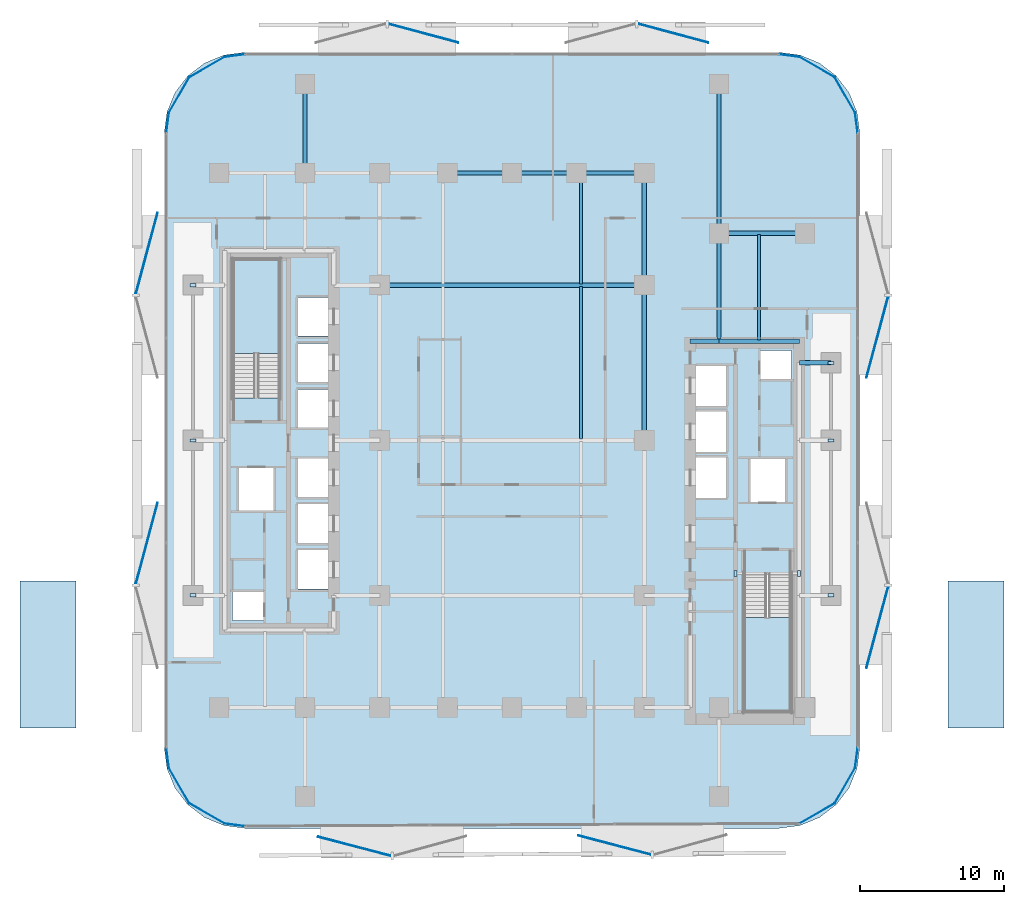
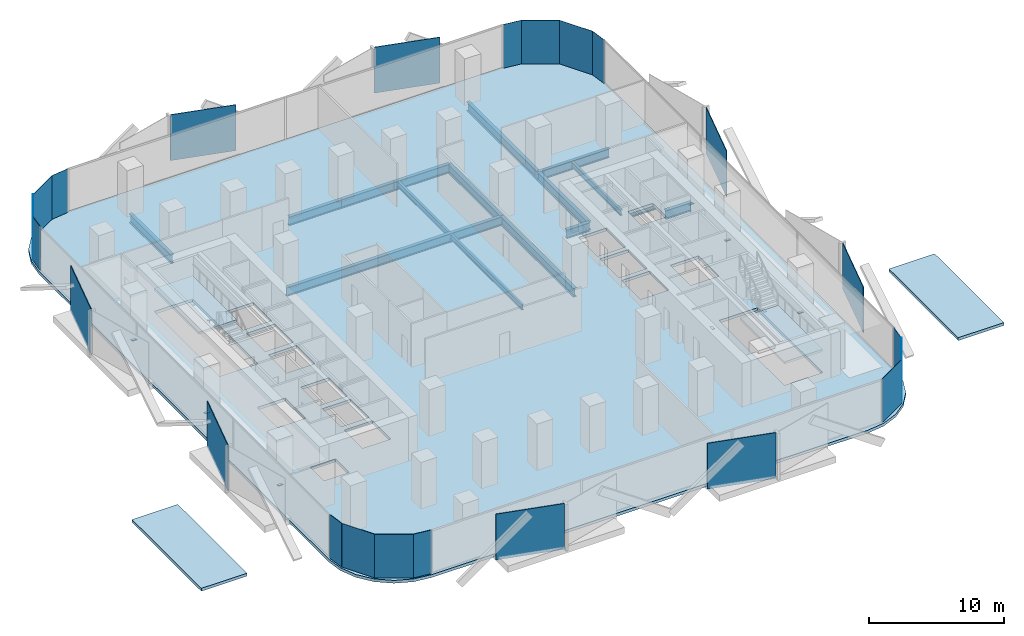
# One storey, part 2 of 16: 31 plates, 16 beams, 5 slabs, 2 elements without a shape of their own.
"""IFC4 building model written with IfcOpenShell, lengths in metres."""

from ifc_helpers import new_model, si_unit, direction, frame, origin, origin_2d, place, context, subcontext, project, spatial, polyline, rectangle, i_section, outline, extrude, material, layer, layer_set, material_profile, profile_set, type_object, element, aggregate, save


model = new_model("IFC4")

# Units and contexts
model_context = context("Model", 3, precision=1e-05, world=origin(), true_north=direction((0.0, 1.0)))
body_context = subcontext(model_context, "Body", "Model", "MODEL_VIEW")
ifc_project = project(units=[si_unit("LENGTHUNIT", "METRE"), si_unit("AREAUNIT", "SQUARE_METRE"), si_unit("VOLUMEUNIT", "CUBIC_METRE"), si_unit("PLANEANGLEUNIT", "RADIAN"), si_unit("MASSUNIT", "GRAM", prefix="KILO")], contexts=[model_context])

# Site, building, storey
site_placement = place(None, origin())
site = spatial("IfcSite", under=ifc_project, at=site_placement, CompositionType="ELEMENT")
building_placement = place(site_placement, origin())
building = spatial("IfcBuilding", under=site, at=building_placement, Name="Khairoan Windgate Tower", CompositionType="ELEMENT")
storey_placement = place(building_placement, frame((0.0, 0.0, 26.0)))
storey = spatial("IfcBuildingStorey", under=building, at=storey_placement, Name="L06", CompositionType="ELEMENT", Elevation=26.0)

# Beams
ifc_material_1 = material(Name="Steel S355", Category="steel")
ifc_material_profile_1 = material_profile(ifc_material_1, i_section(OverallWidth=0.300048828125, OverallDepth=0.800048828125, WebThickness=0.013916015625, FlangeThickness=0.02587890625, FilletRadius=0.028076171875, at=origin_2d()))
ifc_profile_set_1 = profile_set([ifc_material_profile_1], Name="Steel S355")
beam_type_1 = type_object("IfcBeamType", Name="Beam B-G2 H800x300x14x26", PredefinedType="BEAM", material=ifc_profile_set_1)
beam_1_placement = place(storey_placement, frame((20.0, 5.39990234375, -0.659912109375), z_axis=(1.0, 0.0, 0.0), x_axis=(0.0, 1.0, 0.0)))
element("IfcBeam", 1, at=beam_1_placement, inside=storey, type_object=beam_type_1, Name="L06 E-W Primary Girder 19", PredefinedType="BEAM", context=body_context, shape_type="SweptSolid", body=[
    extrude(i_section(OverallWidth=0.300048828125, OverallDepth=0.800048828125, WebThickness=0.013916015625, FlangeThickness=0.02587890625, FilletRadius=0.028076171875, at=origin_2d()), origin(), (0.0, 0.0, 1.0), 2.199951171875),
])
beam_2_placement = place(storey_placement, frame((12.39990234375, 6.89990234375, -0.659912109375), z_axis=(1.0, 0.0, 0.0), x_axis=(0.0, 1.0, 0.0)))
element("IfcBeam", 2, at=beam_2_placement, inside=storey, type_object=beam_type_1, Name="L06 E-W Primary Girder 20", PredefinedType="BEAM", context=body_context, shape_type="SweptSolid", body=[
    extrude(i_section(OverallWidth=0.300048828125, OverallDepth=0.800048828125, WebThickness=0.013916015625, FlangeThickness=0.02587890625, FilletRadius=0.028076171875, at=origin_2d()), origin(), (0.0, 0.0, 1.0), 2.0),
])
beam_3_placement = place(storey_placement, frame((14.39990234375, 6.89990234375, -0.659912109375), z_axis=(1.0, 0.0, 0.0), x_axis=(0.0, 1.0, 0.0)))
element("IfcBeam", 3, at=beam_3_placement, inside=storey, type_object=beam_type_1, Name="L06 E-W Primary Girder 21", PredefinedType="BEAM", context=body_context, shape_type="SweptSolid", body=[
    extrude(i_section(OverallWidth=0.300048828125, OverallDepth=0.800048828125, WebThickness=0.013916015625, FlangeThickness=0.02587890625, FilletRadius=0.028076171875, at=origin_2d()), origin(), (0.0, 0.0, 1.0), 5.60009765625),
])
beam_4_placement = place(storey_placement, frame((-9.199951171875, 10.800048828125, -0.659912109375), z_axis=(1.0, 0.0, 0.0), x_axis=(0.0, 1.0, 0.0)))
element("IfcBeam", 4, at=beam_4_placement, inside=storey, type_object=beam_type_1, Name="L06 E-W Primary Girder 24", PredefinedType="BEAM", context=body_context, shape_type="SweptSolid", body=[
    extrude(i_section(OverallWidth=0.300048828125, OverallDepth=0.800048828125, WebThickness=0.013916015625, FlangeThickness=0.02587890625, FilletRadius=0.028076171875, at=origin_2d()), origin(), (0.0, 0.0, 1.0), 18.39990234375),
])
beam_5_placement = place(storey_placement, frame((14.39990234375, 14.39990234375, -0.659912109375), z_axis=(1.0, 0.0, 0.0), x_axis=(0.0, 1.0, 0.0)))
element("IfcBeam", 5, at=beam_5_placement, inside=storey, type_object=beam_type_1, Name="L06 E-W Primary Girder 27", PredefinedType="BEAM", context=body_context, shape_type="SweptSolid", body=[
    extrude(i_section(OverallWidth=0.300048828125, OverallDepth=0.800048828125, WebThickness=0.013916015625, FlangeThickness=0.02587890625, FilletRadius=0.028076171875, at=origin_2d()), origin(), (0.0, 0.0, 1.0), 6.0),
])
for number, where, z_axis, x_axis, name in (
    (6, (-4.5, 18.60009765625, -0.659912109375), (1.0, 0.0, 0.0), (0.0, 1.0, 0.0), "L06 E-W Primary Girder 31"),
    (7, (0.0, 18.60009765625, -0.659912109375), (1.0, 0.0, 0.0), (0.0, 1.0, 0.0), "L06 E-W Primary Girder 32"),
):
    element("IfcBeam", number, at=place(storey_placement, frame(where, z_axis=z_axis, x_axis=x_axis)), inside=storey, type_object=beam_type_1, Name=name, PredefinedType="BEAM", context=body_context, shape_type="SweptSolid", body=[
        extrude(i_section(OverallWidth=0.300048828125, OverallDepth=0.800048828125, WebThickness=0.013916015625, FlangeThickness=0.02587890625, FilletRadius=0.028076171875, at=origin_2d()), origin(), (0.0, 0.0, 1.0), 4.5),
    ])
beam_6_placement = place(storey_placement, frame((4.5, 18.60009765625, -0.659912109375), z_axis=(1.0, 0.0, 0.0), x_axis=(0.0, 1.0, 0.0)))
element("IfcBeam", 8, at=beam_6_placement, inside=storey, type_object=beam_type_1, Name="L06 E-W Primary Girder 33", PredefinedType="BEAM", context=body_context, shape_type="SweptSolid", body=[
    extrude(i_section(OverallWidth=0.300048828125, OverallDepth=0.800048828125, WebThickness=0.013916015625, FlangeThickness=0.02587890625, FilletRadius=0.028076171875, at=origin_2d()), origin(), (0.0, 0.0, 1.0), 4.699951171875),
])
beam_7_placement = place(storey_placement, frame((-14.39990234375, 18.60009765625, -0.659912109375), z_axis=(0.0, 1.0, 0.0), x_axis=(-1.0, 0.0, 0.0)))
element("IfcBeam", 9, at=beam_7_placement, inside=storey, type_object=beam_type_1, Name="L06 N-S Primary Beam 43", PredefinedType="BEAM", context=body_context, shape_type="SweptSolid", body=[
    extrude(i_section(OverallWidth=0.300048828125, OverallDepth=0.800048828125, WebThickness=0.013916015625, FlangeThickness=0.02587890625, FilletRadius=0.028076171875, at=origin_2d()), origin(), (0.0, 0.0, 1.0), 6.199951171875),
])
beam_8_placement = place(storey_placement, frame((9.199951171875, 0.0, -0.659912109375), z_axis=(0.0, 1.0, 0.0), x_axis=(-1.0, 0.0, 0.0)))
element("IfcBeam", 10, at=beam_8_placement, inside=storey, type_object=beam_type_1, Name="L06 N-S Primary Beam 52", PredefinedType="BEAM", context=body_context, shape_type="SweptSolid", body=[
    extrude(i_section(OverallWidth=0.300048828125, OverallDepth=0.800048828125, WebThickness=0.013916015625, FlangeThickness=0.02587890625, FilletRadius=0.028076171875, at=origin_2d()), origin(), (0.0, 0.0, 1.0), 10.800048828125),
])
beam_9_placement = place(storey_placement, frame((9.199951171875, 10.800048828125, -0.659912109375), z_axis=(0.0, 1.0, 0.0), x_axis=(-1.0, 0.0, 0.0)))
element("IfcBeam", 11, at=beam_9_placement, inside=storey, type_object=beam_type_1, Name="L06 N-S Primary Beam 53", PredefinedType="BEAM", context=body_context, shape_type="SweptSolid", body=[
    extrude(i_section(OverallWidth=0.300048828125, OverallDepth=0.800048828125, WebThickness=0.013916015625, FlangeThickness=0.02587890625, FilletRadius=0.028076171875, at=origin_2d()), origin(), (0.0, 0.0, 1.0), 7.800048828125),
])
beam_10_placement = place(storey_placement, frame((14.39990234375, 6.89990234375, -0.659912109375), z_axis=(0.0, 1.0, 0.0), x_axis=(-1.0, 0.0, 0.0)))
element("IfcBeam", 12, at=beam_10_placement, inside=storey, type_object=beam_type_1, Name="L06 N-S Primary Beam 56", PredefinedType="BEAM", context=body_context, shape_type="SweptSolid", body=[
    extrude(i_section(OverallWidth=0.300048828125, OverallDepth=0.800048828125, WebThickness=0.013916015625, FlangeThickness=0.02587890625, FilletRadius=0.028076171875, at=origin_2d()), origin(), (0.0, 0.0, 1.0), 7.5),
])
beam_11_placement = place(storey_placement, frame((14.39990234375, 14.39990234375, -0.659912109375), z_axis=(0.0, 1.0, 0.0), x_axis=(-1.0, 0.0, 0.0)))
element("IfcBeam", 13, at=beam_11_placement, inside=storey, type_object=beam_type_1, Name="L06 N-S Primary Beam 57", PredefinedType="BEAM", context=body_context, shape_type="SweptSolid", body=[
    extrude(i_section(OverallWidth=0.300048828125, OverallDepth=0.800048828125, WebThickness=0.013916015625, FlangeThickness=0.02587890625, FilletRadius=0.028076171875, at=origin_2d()), origin(), (0.0, 0.0, 1.0), 10.400146484375),
])
ifc_material_2 = material(Name="Steel S355", Category="steel")
ifc_material_profile_2 = material_profile(ifc_material_2, i_section(OverallWidth=0.199951171875, OverallDepth=0.5, WebThickness=0.010009765625, FlangeThickness=0.01611328125, FilletRadius=0.02001953125, at=origin_2d()))
ifc_profile_set_2 = profile_set([ifc_material_profile_2], Name="Steel S355")
beam_type_2 = type_object("IfcBeamType", Name="Beam J-S2 H500x200x10x16", PredefinedType="JOIST", material=ifc_profile_set_2)
beam_12_placement = place(storey_placement, frame((4.800048828125, 0.090087890625, -0.510009765625), z_axis=(0.0, 1.0, 0.0), x_axis=(-1.0, 0.0, 0.0)))
element("IfcBeam", 14, at=beam_12_placement, inside=storey, type_object=beam_type_2, Name="L06 Secondary Floor Joist 09", PredefinedType="JOIST", context=body_context, shape_type="SweptSolid", body=[
    extrude(i_section(OverallWidth=0.199951171875, OverallDepth=0.5, WebThickness=0.010009765625, FlangeThickness=0.01611328125, FilletRadius=0.02001953125, at=origin_2d()), origin(), (0.0, 0.0, 1.0), 10.619873046875),
])
beam_13_placement = place(storey_placement, frame((4.800048828125, 10.889892578125, -0.510009765625), z_axis=(0.0, 1.0, 0.0), x_axis=(-1.0, 0.0, 0.0)))
element("IfcBeam", 15, at=beam_13_placement, inside=storey, type_object=beam_type_2, Name="L06 Secondary Floor Joist 10", PredefinedType="JOIST", context=body_context, shape_type="SweptSolid", body=[
    extrude(i_section(OverallWidth=0.199951171875, OverallDepth=0.5, WebThickness=0.010009765625, FlangeThickness=0.01611328125, FilletRadius=0.02001953125, at=origin_2d()), origin(), (0.0, 0.0, 1.0), 7.6201171875),
])
beam_14_placement = place(storey_placement, frame((17.199951171875, 6.989990234375, -0.510009765625), z_axis=(0.0, 1.0, 0.0), x_axis=(-1.0, 0.0, 0.0)))
element("IfcBeam", 16, at=beam_14_placement, inside=storey, type_object=beam_type_2, Name="L06 Secondary Floor Joist 11", PredefinedType="JOIST", context=body_context, shape_type="SweptSolid", body=[
    extrude(i_section(OverallWidth=0.199951171875, OverallDepth=0.5, WebThickness=0.010009765625, FlangeThickness=0.01611328125, FilletRadius=0.02001953125, at=origin_2d()), origin(), (0.0, 0.0, 1.0), 7.320068359375),
])

# Plates
ifc_material_3 = material(Name="Low-E Solar Control Laminated Glass", Category="glass")
ifc_layer_1 = layer(ifc_material_3, 0.030029296875, Name="Low-E Solar Control Laminated Glass")
ifc_layer_set_1 = layer_set([ifc_layer_1], Name="Low-E Solar Control Laminated Glass")
plate_type_1 = type_object("IfcPlateType", Name="Aerodynamic Wind-Corner Curved Glazing Plate", PredefinedType="USERDEFINED", material=ifc_layer_set_1)
plate_placement = place(storey_placement, frame((-19.302001953125, -26.766357421875, 0.0), z_axis=(0.0, 0.0, 1.0), x_axis=(-0.991444861374, 0.13052619222, 0.0)))
element("IfcPlate", 17, at=plate_placement, inside=storey, type_object=plate_type_1, Name="L06 Aerodynamic Wind-Corner Curved Glazing Panel 2", ObjectType="GLAZING PANEL", PredefinedType="USERDEFINED", context=body_context, shape_type="SweptSolid", body=[
    extrude(rectangle(XDim=1.474365234375, YDim=0.028076171875, at=origin_2d()), origin(), (0.0, 0.0, 1.0), 3.93994140625),
])
for number, where, z_axis, x_axis, name in (
    (18, (-21.236328125, -25.96630859375, 0.0), (0.0, 0.0, 1.0), (-0.866025403784, 0.5, 0.0), "L06 Aerodynamic Wind-Corner Curved Glazing Panel 3"),
    (19, (-23.16650390625, -24.03662109375, 0.0), (0.0, 0.0, 1.0), (-0.5, 0.866025403784, 0.0), "L06 Aerodynamic Wind-Corner Curved Glazing Panel 4"),
):
    element("IfcPlate", number, at=place(storey_placement, frame(where, z_axis=z_axis, x_axis=x_axis)), inside=storey, type_object=plate_type_1, Name=name, ObjectType="GLAZING PANEL", PredefinedType="USERDEFINED", context=body_context, shape_type="SweptSolid", body=[
        extrude(rectangle(XDim=2.86572265625, YDim=0.028076171875, at=origin_2d()), origin(), (0.0, 0.0, 1.0), 3.93994140625),
    ])
for number, where, z_axis, x_axis, name in (
    (20, (-23.96630859375, -22.101806640625, 0.0), (0.0, 0.0, 1.0), (-0.13052619222, 0.991444861374, 0.0), "L06 Aerodynamic Wind-Corner Curved Glazing Panel 5"),
    (21, (-23.96630859375, 22.101806640625, 0.0), (0.0, 0.0, 1.0), (0.13052619222, 0.991444861374, 0.0), "L06 Aerodynamic Wind-Corner Curved Glazing Panel 7"),
):
    element("IfcPlate", number, at=place(storey_placement, frame(where, z_axis=z_axis, x_axis=x_axis)), inside=storey, type_object=plate_type_1, Name=name, ObjectType="GLAZING PANEL", PredefinedType="USERDEFINED", context=body_context, shape_type="SweptSolid", body=[
        extrude(rectangle(XDim=1.474365234375, YDim=0.028076171875, at=origin_2d()), origin(), (0.0, 0.0, 1.0), 3.93994140625),
    ])
for number, where, z_axis, x_axis, name in (
    (22, (-23.16650390625, 24.03662109375, 0.0), (0.0, 0.0, 1.0), (0.5, 0.866025403784, 0.0), "L06 Aerodynamic Wind-Corner Curved Glazing Panel 8"),
    (23, (-21.236328125, 25.96630859375, 0.0), (0.0, 0.0, 1.0), (0.866025403784, 0.5, 0.0), "L06 Aerodynamic Wind-Corner Curved Glazing Panel 9"),
):
    element("IfcPlate", number, at=place(storey_placement, frame(where, z_axis=z_axis, x_axis=x_axis)), inside=storey, type_object=plate_type_1, Name=name, ObjectType="GLAZING PANEL", PredefinedType="USERDEFINED", context=body_context, shape_type="SweptSolid", body=[
        extrude(rectangle(XDim=2.86572265625, YDim=0.028076171875, at=origin_2d()), origin(), (0.0, 0.0, 1.0), 3.93994140625),
    ])
for number, where, z_axis, x_axis, name in (
    (24, (-19.302001953125, 26.766357421875, 0.0), (0.0, 0.0, 1.0), (0.991444861374, 0.13052619222, 0.0), "L06 Aerodynamic Wind-Corner Curved Glazing Panel 10"),
    (25, (19.302001953125, 26.766357421875, 0.0), (0.0, 0.0, 1.0), (0.991444861374, -0.13052619222, 0.0), "L06 Aerodynamic Wind-Corner Curved Glazing Panel 12"),
):
    element("IfcPlate", number, at=place(storey_placement, frame(where, z_axis=z_axis, x_axis=x_axis)), inside=storey, type_object=plate_type_1, Name=name, ObjectType="GLAZING PANEL", PredefinedType="USERDEFINED", context=body_context, shape_type="SweptSolid", body=[
        extrude(rectangle(XDim=1.474365234375, YDim=0.028076171875, at=origin_2d()), origin(), (0.0, 0.0, 1.0), 3.93994140625),
    ])
for number, where, z_axis, x_axis, name in (
    (26, (21.236328125, 25.96630859375, 0.0), (0.0, 0.0, 1.0), (0.866025403784, -0.5, 0.0), "L06 Aerodynamic Wind-Corner Curved Glazing Panel 13"),
    (27, (23.16650390625, 24.03662109375, 0.0), (0.0, 0.0, 1.0), (0.5, -0.866025403784, 0.0), "L06 Aerodynamic Wind-Corner Curved Glazing Panel 14"),
):
    element("IfcPlate", number, at=place(storey_placement, frame(where, z_axis=z_axis, x_axis=x_axis)), inside=storey, type_object=plate_type_1, Name=name, ObjectType="GLAZING PANEL", PredefinedType="USERDEFINED", context=body_context, shape_type="SweptSolid", body=[
        extrude(rectangle(XDim=2.86572265625, YDim=0.028076171875, at=origin_2d()), origin(), (0.0, 0.0, 1.0), 3.93994140625),
    ])
for number, where, z_axis, x_axis, name in (
    (28, (23.96630859375, 22.101806640625, 0.0), (0.0, 0.0, 1.0), (0.13052619222, -0.991444861374, 0.0), "L06 Aerodynamic Wind-Corner Curved Glazing Panel 15"),
    (29, (23.96630859375, -22.101806640625, 0.0), (0.0, 0.0, 1.0), (-0.13052619222, -0.991444861374, 0.0), "L06 Aerodynamic Wind-Corner Curved Glazing Panel 17"),
):
    element("IfcPlate", number, at=place(storey_placement, frame(where, z_axis=z_axis, x_axis=x_axis)), inside=storey, type_object=plate_type_1, Name=name, ObjectType="GLAZING PANEL", PredefinedType="USERDEFINED", context=body_context, shape_type="SweptSolid", body=[
        extrude(rectangle(XDim=1.474365234375, YDim=0.028076171875, at=origin_2d()), origin(), (0.0, 0.0, 1.0), 3.93994140625),
    ])
for number, where, z_axis, x_axis, name in (
    (30, (23.16650390625, -24.03662109375, 0.0), (0.0, 0.0, 1.0), (-0.5, -0.866025403784, 0.0), "L06 Aerodynamic Wind-Corner Curved Glazing Panel 18"),
    (31, (21.236328125, -25.96630859375, 0.0), (0.0, 0.0, 1.0), (-0.866025403784, -0.5, 0.0), "L06 Aerodynamic Wind-Corner Curved Glazing Panel 19"),
):
    element("IfcPlate", number, at=place(storey_placement, frame(where, z_axis=z_axis, x_axis=x_axis)), inside=storey, type_object=plate_type_1, Name=name, ObjectType="GLAZING PANEL", PredefinedType="USERDEFINED", context=body_context, shape_type="SweptSolid", body=[
        extrude(rectangle(XDim=2.86572265625, YDim=0.028076171875, at=origin_2d()), origin(), (0.0, 0.0, 1.0), 3.93994140625),
    ])
ifc_material_4 = material(Name="Steel S355", Category="steel")
ifc_layer_2 = layer(ifc_material_4, 0.0400390625, Name="Steel S355")
ifc_layer_set_2 = layer_set([ifc_layer_2], Name="Steel S355")
plate_type_2 = type_object("IfcPlateType", Name="Hollow Section End-Cap Plate PL-CAP40", PredefinedType="SHEET", material=ifc_layer_set_2)
for number, where, z_axis, x_axis, name in (
    (32, (-22.199951171875, -10.784912109375, -0.47998046875), (0.0, 0.0, 1.0), (0.0, 1.0, 0.0), "BM-SP-L06-034 steel end-cap plate 1"),
    (33, (-22.199951171875, -0.014892578125, -0.47998046875), (0.0, 0.0, 1.0), (0.0, 1.0, 0.0), "BM-SP-L06-034 steel end-cap plate 2"),
    (34, (-22.199951171875, 10.784912109375, -0.47998046875), (0.0, 0.0, 1.0), (0.0, 1.0, 0.0), "BM-SP-L06-035 steel end-cap plate 2"),
    (35, (22.199951171875, -10.784912109375, -0.47998046875), (0.0, 0.0, 1.0), (0.0, 1.0, 0.0), "BM-SP-L06-061 steel end-cap plate 1"),
    (36, (22.199951171875, -0.014892578125, -0.47998046875), (0.0, 0.0, 1.0), (0.0, 1.0, 0.0), "BM-SP-L06-061 steel end-cap plate 2"),
    (37, (22.199951171875, 5.385009765625, -0.47998046875), (0.0, 0.0, 1.0), (0.0, 1.0, 0.0), "BM-SP-L06-062 steel end-cap plate 2"),
    (38, (15.56494140625, -9.260009765625, -0.47998046875), (0.0, 0.0, 1.0), (1.0, 0.0, 0.0), "BM-ST1-TRIM-L06 steel end-cap plate 1"),
    (39, (19.985107421875, -9.260009765625, -0.47998046875), (0.0, 0.0, 1.0), (1.0, 0.0, 0.0), "BM-ST1-TRIM-L06 steel end-cap plate 2"),
):
    element("IfcPlate", number, at=place(storey_placement, frame(where, z_axis=z_axis, x_axis=x_axis)), inside=storey, type_object=plate_type_2, Name=name, PredefinedType="SHEET", context=body_context, shape_type="SweptSolid", body=[
        extrude(rectangle(XDim=0.219970703125, YDim=0.419921875, at=origin_2d()), origin(), (0.0, 0.0, 1.0), 0.0400390625),
    ])

# Slabs
ifc_material_5 = material(Name="Concrete C40/50", Category="concrete")
ifc_layer_3 = layer(ifc_material_5, 0.260009765625, Name="Concrete C40/50")
ifc_layer_set_3 = layer_set([ifc_layer_3], Name="Concrete C40/50")
slab_type_1 = type_object("IfcSlabType", Name="Observation Terrace Slab RS3 260mm", PredefinedType="ROOF", material=ifc_layer_set_3)
slab_1_placement = place(storey_placement, frame((0.0, 0.0, -0.260009765625)))
element("IfcSlab", 40, at=slab_1_placement, inside=storey, type_object=slab_type_1, Name="West Podium Stair ST4 Head Roof Slab (Non-Accessible)", PredefinedType="ROOF", context=body_context, shape_type="SweptSolid", body=[
    extrude(outline(polyline([(-34.239990234375, -20.02001953125), (-30.330078125, -20.02001953125), (-30.330078125, -9.780029296875), (-34.239990234375, -9.780029296875), (-34.239990234375, -20.02001953125)])), origin(), (0.0, 0.0, 1.0), 0.260009765625),
])
slab_2_placement = place(storey_placement, frame((0.0, 0.0, -0.260009765625)))
element("IfcSlab", 41, at=slab_2_placement, inside=storey, type_object=slab_type_1, Name="East Podium Stair ST3 Head Roof Slab (Non-Accessible)", PredefinedType="ROOF", context=body_context, shape_type="SweptSolid", body=[
    extrude(outline(polyline([(30.330078125, -20.02001953125), (34.239990234375, -20.02001953125), (34.239990234375, -9.780029296875), (30.330078125, -9.780029296875), (30.330078125, -20.02001953125)])), origin(), (0.0, 0.0, 1.0), 0.260009765625),
])

# Plates
ifc_material_6 = material(Name="Anodised Bronze Aluminium 6063-T6", Category="aluminium")
ifc_layer_4 = layer(ifc_material_6, 0.054931640625, Name="Anodised Bronze Aluminium 6063-T6")
ifc_layer_set_4 = layer_set([ifc_layer_4], Name="Anodised Bronze Aluminium 6063-T6")
plate_type_3 = type_object("IfcPlateType", Name="Perforated Bronze Solar Screen Panel BSP-1", PredefinedType="USERDEFINED", material=ifc_layer_set_4)
for number, where, z_axis, x_axis, name in (
    (42, (7.143310546875, -28.17578125, -0.10009765625), (0.0, 0.0, 1.0), (-0.967179115616, 0.254095569259, 0.0), "L06 Perforated Bronze Solar Screen Panel 1R"),
    (43, (-10.95849609375, -28.263671875, -0.10009765625), (0.0, 0.0, 1.0), (-0.967179115616, 0.254095569259, 0.0), "L06 Perforated Bronze Solar Screen Panel 2R"),
):
    element("IfcPlate", number, at=place(storey_placement, frame(where, z_axis=z_axis, x_axis=x_axis)), inside=storey, type_object=plate_type_3, Name=name, ObjectType="SCREEN", PredefinedType="USERDEFINED", context=body_context, shape_type="SweptSolid", body=[
        extrude(rectangle(XDim=5.25, YDim=0.054931640625, at=origin_2d()), origin(), (0.0, 0.0, 1.0), 4.139892578125),
    ])
for number, where, z_axis, x_axis, name in (
    (44, (-25.42236328125, -7.177734375, -0.10009765625), (0.0, 0.0, 1.0), (0.258819045103, 0.965925826289, 0.0), "L06 Perforated Bronze Solar Screen Panel 3R"),
    (45, (-25.42236328125, 13.01318359375, -0.10009765625), (0.0, 0.0, 1.0), (0.258819045103, 0.965925826289, 0.0), "L06 Perforated Bronze Solar Screen Panel 4R"),
):
    element("IfcPlate", number, at=place(storey_placement, frame(where, z_axis=z_axis, x_axis=x_axis)), inside=storey, type_object=plate_type_3, Name=name, ObjectType="SCREEN", PredefinedType="USERDEFINED", context=body_context, shape_type="SweptSolid", body=[
        extrude(rectangle(XDim=5.85498046875, YDim=0.054931640625, at=origin_2d()), origin(), (0.0, 0.0, 1.0), 4.139892578125),
    ])
for number, where, z_axis, x_axis, name in (
    (46, (-6.169921875, 28.327392578125, -0.10009765625), (0.0, 0.0, 1.0), (0.965925826289, -0.258819045103, 0.0), "L06 Perforated Bronze Solar Screen Panel 5R"),
    (47, (11.220947265625, 28.327392578125, -0.10009765625), (0.0, 0.0, 1.0), (0.965925826289, -0.258819045103, 0.0), "L06 Perforated Bronze Solar Screen Panel 6R"),
):
    element("IfcPlate", number, at=place(storey_placement, frame(where, z_axis=z_axis, x_axis=x_axis)), inside=storey, type_object=plate_type_3, Name=name, ObjectType="SCREEN", PredefinedType="USERDEFINED", context=body_context, shape_type="SweptSolid", body=[
        extrude(rectangle(XDim=5.04296875, YDim=0.054931640625, at=origin_2d()), origin(), (0.0, 0.0, 1.0), 4.139892578125),
    ])
for number, where, z_axis, x_axis, name in (
    (48, (25.42236328125, 7.177734375, -0.10009765625), (0.0, 0.0, 1.0), (-0.258819045103, -0.965925826289, 0.0), "L06 Perforated Bronze Solar Screen Panel 7R"),
    (49, (25.42236328125, -13.01318359375, -0.10009765625), (0.0, 0.0, 1.0), (-0.258819045103, -0.965925826289, 0.0), "L06 Perforated Bronze Solar Screen Panel 8R"),
):
    element("IfcPlate", number, at=place(storey_placement, frame(where, z_axis=z_axis, x_axis=x_axis)), inside=storey, type_object=plate_type_3, Name=name, ObjectType="SCREEN", PredefinedType="USERDEFINED", context=body_context, shape_type="SweptSolid", body=[
        extrude(rectangle(XDim=5.85498046875, YDim=0.054931640625, at=origin_2d()), origin(), (0.0, 0.0, 1.0), 4.139892578125),
    ])

# Stair, slab
ifc_material_7 = material(Name="Concrete C40/50", Category="concrete")
stair_type = type_object("IfcStairType", Name="Tower Core Dog-Leg Stair ST-T1 1560mm", PredefinedType="HALF_TURN_STAIR", material=ifc_material_7)
stair_1_placement = place(storey_placement, origin())
stair_1 = element("IfcStair", 50, at=stair_1_placement, inside=storey, type_object=stair_type, Name="L06 Stair ST1", PredefinedType="HALF_TURN_STAIR")
ifc_material_8 = material(Name="Concrete C40/50", Category="concrete")
ifc_layer_5 = layer(ifc_material_8, 0.199951171875, Name="Concrete C40/50")
ifc_layer_set_5 = layer_set([ifc_layer_5], Name="Concrete C40/50")
slab_type_2 = type_object("IfcSlabType", Name="Reinforced Concrete Stair Landing Slab STL-200", PredefinedType="LANDING", material=ifc_layer_set_5)
slab_3_placement = place(storey_placement, frame((0.0, 0.0, 1.89990234375)))
slab_3 = element("IfcSlab", 51, at=slab_3_placement, type_object=slab_type_2, Name="ST1 landing 1", PredefinedType="LANDING", context=body_context, shape_type="SweptSolid", body=[
    extrude(outline(polyline([(16.14990234375, -12.340087890625), (16.14990234375, -18.89990234375), (19.419921875, -18.89990234375), (19.419921875, -12.340087890625), (16.14990234375, -12.340087890625)])), origin(), (0.0, 0.0, 1.0), 0.2001953125),
])
aggregate(stair_1, [slab_3])

stair_2_placement = place(storey_placement, origin())
stair_2 = element("IfcStair", 52, at=stair_2_placement, inside=storey, type_object=stair_type, Name="L06 Stair ST2", PredefinedType="HALF_TURN_STAIR")
slab_4_placement = place(storey_placement, frame((0.0, 0.0, 1.89990234375)))
slab_4 = element("IfcSlab", 53, at=slab_4_placement, type_object=slab_type_2, Name="ST2 landing 1", PredefinedType="LANDING", context=body_context, shape_type="SweptSolid", body=[
    extrude(outline(polyline([(-16.14990234375, 6.0400390625), (-16.14990234375, 12.60009765625), (-19.419921875, 12.60009765625), (-19.419921875, 6.0400390625), (-16.14990234375, 6.0400390625)])), origin(), (0.0, 0.0, 1.0), 0.2001953125),
])
aggregate(stair_2, [slab_4])

# Slab
ifc_material_9 = material(Name="Concrete C40/50", Category="concrete")
ifc_layer_6 = layer(ifc_material_9, 0.260009765625, Name="Concrete C40/50")
ifc_layer_set_6 = layer_set([ifc_layer_6], Name="Concrete C40/50")
slab_type_3 = type_object("IfcSlabType", Name="Tower Composite Floor Slab FS2 260mm", PredefinedType="FLOOR", material=ifc_layer_set_6)
slab_5_placement = place(storey_placement, frame((0.0, 0.0, -0.260009765625)))
element("IfcSlab", 54, at=slab_5_placement, inside=storey, type_object=slab_type_3, Name="L06 Structural Floor Slab", PredefinedType="FLOOR", context=body_context, shape_type="SweptSolid", body=[
    extrude(outline(polyline([(18.60009765625, -27.0), (20.04931640625, -26.80908203125), (21.39990234375, -26.249755859375), (22.559814453125, -25.35986328125), (23.44970703125, -24.199951171875), (24.00927734375, -22.849365234375), (24.199951171875, -21.39990234375), (24.199951171875, 21.39990234375), (24.00927734375, 22.849365234375), (23.44970703125, 24.199951171875), (22.559814453125, 25.35986328125), (21.39990234375, 26.249755859375), (20.04931640625, 26.80908203125), (18.60009765625, 27.0), (-18.60009765625, 27.0), (-20.04931640625, 26.80908203125), (-21.39990234375, 26.249755859375), (-22.559814453125, 25.35986328125), (-23.44970703125, 24.199951171875), (-24.00927734375, 22.849365234375), (-24.199951171875, 21.39990234375), (-24.199951171875, -21.39990234375), (-24.00927734375, -22.849365234375), (-23.44970703125, -24.199951171875), (-22.559814453125, -25.35986328125), (-21.39990234375, -26.249755859375), (-20.04931640625, -26.80908203125), (-18.60009765625, -27.0), (18.60009765625, -27.0)]), holes=[polyline([(16.14990234375, -9.260009765625), (16.14990234375, -18.89990234375), (19.419921875, -18.89990234375), (19.419921875, -9.260009765625), (16.14990234375, -9.260009765625)]), polyline([(-16.14990234375, 2.9599609375), (-16.14990234375, 12.60009765625), (-19.419921875, 12.60009765625), (-19.419921875, 2.9599609375), (-16.14990234375, 2.9599609375)]), polyline([(-14.89990234375, 7.25), (-12.5, 7.25), (-12.5, 9.949951171875), (-14.89990234375, 9.949951171875), (-14.89990234375, 7.25)]), polyline([(-14.89990234375, 4.050048828125), (-12.5, 4.050048828125), (-12.5, 6.75), (-14.89990234375, 6.75), (-14.89990234375, 4.050048828125)]), polyline([(-14.89990234375, 0.85009765625), (-12.5, 0.85009765625), (-12.5, 3.550048828125), (-14.89990234375, 3.550048828125), (-14.89990234375, 0.85009765625)]), polyline([(-14.89990234375, -3.949951171875), (-12.5, -3.949951171875), (-12.5, -1.25), (-14.89990234375, -1.25), (-14.89990234375, -3.949951171875)]), polyline([(-14.89990234375, -7.14990234375), (-12.5, -7.14990234375), (-12.5, -4.449951171875), (-14.89990234375, -4.449951171875), (-14.89990234375, -7.14990234375)]), polyline([(-14.89990234375, -10.35009765625), (-12.5, -10.35009765625), (-12.5, -7.64990234375), (-14.89990234375, -7.64990234375), (-14.89990234375, -10.35009765625)]), polyline([(12.5, 2.39990234375), (14.89990234375, 2.39990234375), (14.89990234375, 5.199951171875), (12.5, 5.199951171875), (12.5, 2.39990234375)]), polyline([(12.5, -0.800048828125), (14.89990234375, -0.800048828125), (14.89990234375, 2.0), (12.5, 2.0), (12.5, -0.800048828125)]), polyline([(12.5, -4.0), (14.89990234375, -4.0), (14.89990234375, -1.199951171875), (12.5, -1.199951171875), (12.5, -4.0)]), polyline([(16.60009765625, -4.300048828125), (19.0, -4.300048828125), (19.0, -1.300048828125), (16.60009765625, -1.300048828125), (16.60009765625, -4.300048828125)]), polyline([(-19.0, -4.89990234375), (-16.60009765625, -4.89990234375), (-16.60009765625, -1.89990234375), (-19.0, -1.89990234375), (-19.0, -4.89990234375)]), polyline([(-19.449951171875, -12.550048828125), (-17.31005859375, -12.550048828125), (-17.31005859375, -10.550048828125), (-19.449951171875, -10.550048828125), (-19.449951171875, -12.550048828125)]), polyline([(17.31005859375, 4.25), (19.449951171875, 4.25), (19.449951171875, 6.25), (17.31005859375, 6.25), (17.31005859375, 4.25)])]), origin(), (0.0, 0.0, 1.0), 0.260009765625),
])

save(model, "model.ifc")
